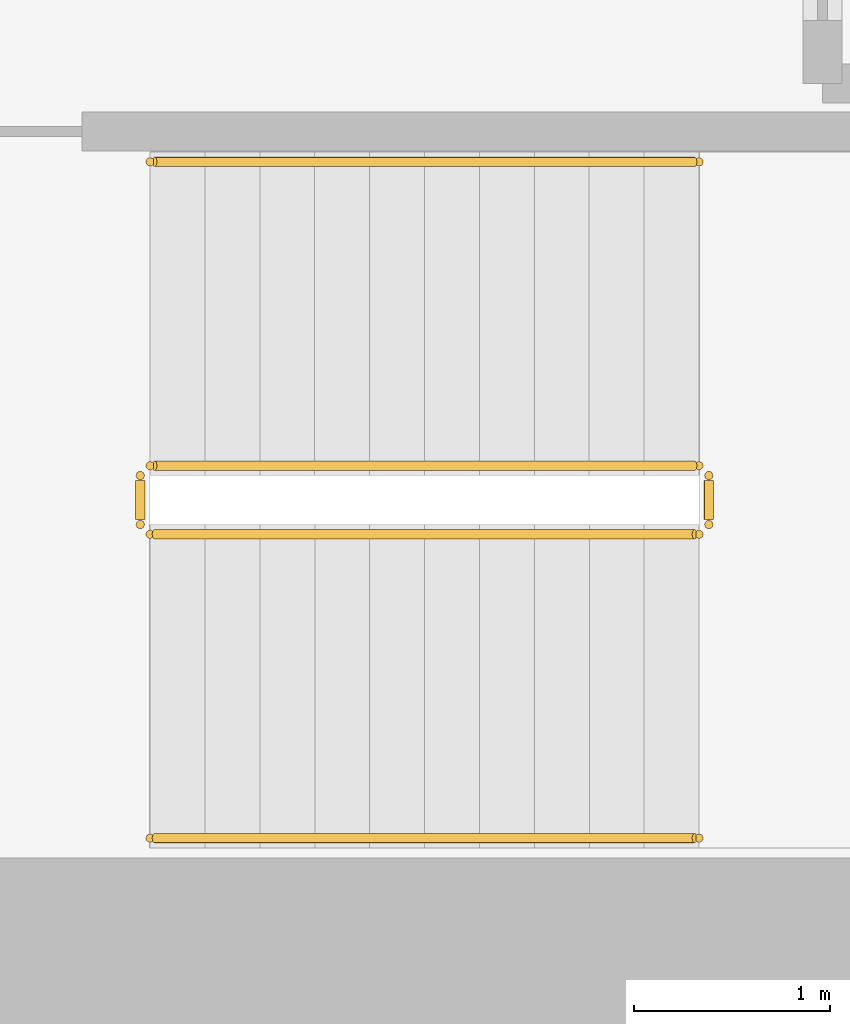
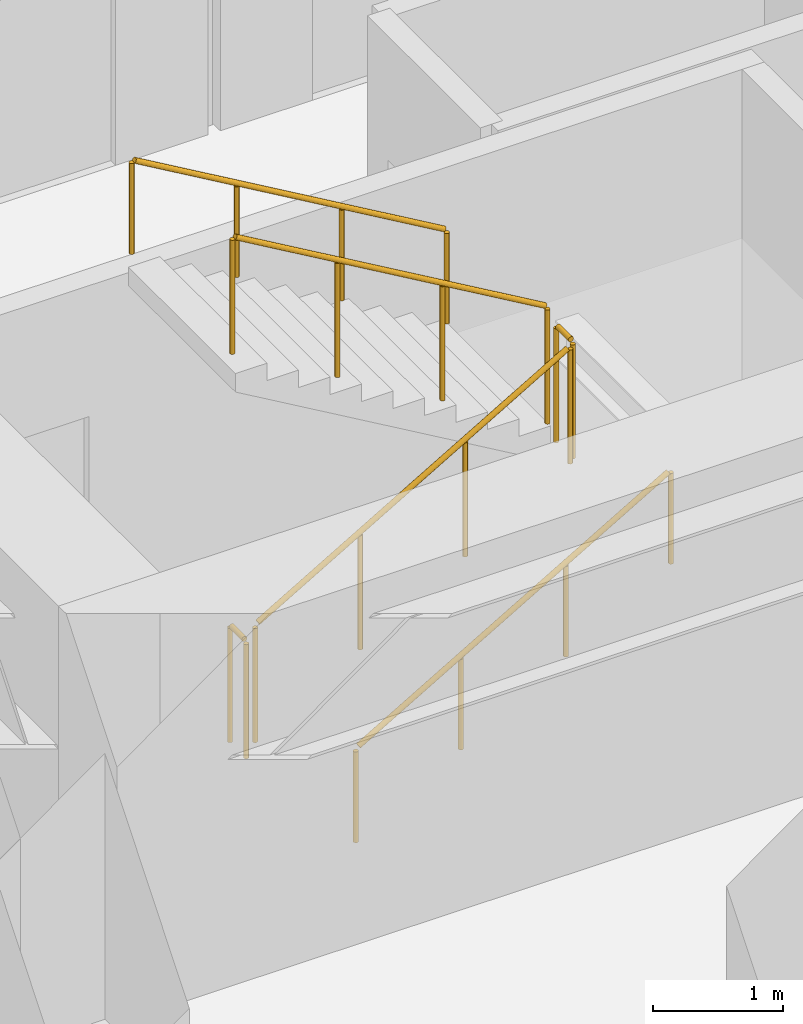
# One storey, part 12 of 12: 6 railings.
"""IFC4 building model written with IfcOpenShell, lengths in metres."""

from ifc_helpers import new_model, si_unit, direction, frame, origin, origin_2d, place, context, subcontext, project, spatial, circle, extrude, source, transform, mapped, material, layer, layer_set, type_object, element, save


model = new_model("IFC4")

# Units and contexts
model_context = context("Model", 3, precision=1e-05, world=origin(), true_north=direction((0.0, 1.0)))
body_context = subcontext(model_context, "Body", "Model", "MODEL_VIEW")
ifc_project = project(units=[si_unit("LENGTHUNIT", "METRE"), si_unit("AREAUNIT", "SQUARE_METRE"), si_unit("VOLUMEUNIT", "CUBIC_METRE"), si_unit("PLANEANGLEUNIT", "RADIAN"), si_unit("MASSUNIT", "GRAM", prefix="KILO")], contexts=[model_context])

# Site, building, storey
site_placement = place(None, origin())
site = spatial("IfcSite", under=ifc_project, at=site_placement, CompositionType="ELEMENT")
building_placement = place(site_placement, origin())
building = spatial("IfcBuilding", under=site, at=building_placement, Name="Kharzan Plaza Tower", CompositionType="ELEMENT")
storey_placement = place(building_placement, frame((0.0, 0.0, 51.300048828125)))
storey = spatial("IfcBuildingStorey", under=building, at=storey_placement, Name="L13", CompositionType="ELEMENT", Elevation=51.300048828125)

# Railings
ifc_material_1 = material(Name="Painted Galvanized Architectural Steel", Category="steel")
ifc_layer_1 = layer(ifc_material_1, 0.074951171875)
ifc_layer_set_1 = layer_set([ifc_layer_1], Name="Painted Galvanized Architectural Steel")
railing_type_1 = type_object("IfcRailingType", Name="RL-GUARD-1120", PredefinedType="BALUSTRADE", material=ifc_layer_set_1)
shared_shape_1 = source(origin(), body_context, "Body", "SweptSolid", [
    extrude(circle(Radius=0.02392578125, at=origin_2d()), frame((0.0, 0.0263671875, 1.09619140625), z_axis=(0.0, 1.0, 0.0), x_axis=(-1.0, 0.0, 0.0)), (0.0, 0.0, 1.0), 0.197021484375),
    extrude(circle(Radius=0.02099609375, at=origin_2d()), origin(), (0.0, 0.0, 1.0), 1.072021484375),
    extrude(circle(Radius=0.02099609375, at=origin_2d()), frame((0.0, 0.25, 0.0)), (0.0, 0.0, 1.0), 1.072021484375),
])
for number, where, name in (
    (1, (41.10009765625, 6.64990234375, 1.800048828125), "L13 ST-3 stair guard 2"),
    (2, (38.199951171875, 6.64990234375, 0.0), "L13 ST-3 stair guard 4"),
):
    element("IfcRailing", number, at=place(storey_placement, frame(where)), inside=storey, type_object=railing_type_1, Name=name, PredefinedType="BALUSTRADE", context=body_context, shape_type="MappedRepresentation", body=[
        mapped(shared_shape_1, transform((0.0, 0.0, 0.0), x_axis=(1.0, 0.0, 0.0), y_axis=(0.0, 1.0, 0.0), z_axis=(0.0, 0.0, 1.0))),
    ])
shared_shape_2 = source(origin(), body_context, "Body", "SweptSolid", [
    extrude(circle(Radius=0.02392578125, at=origin_2d()), frame((0.02294921875, 0.0, 1.109375), z_axis=(0.863360870873, 0.0, 0.504586966384), x_axis=(0.0, 1.0, 0.0)), (0.0, 0.0, 1.0), 3.190185546875),
    extrude(circle(Radius=0.02099609375, at=origin_2d()), origin(), (0.0, 0.0, 1.0), 1.072021484375),
    extrude(circle(Radius=0.02099609375, at=origin_2d()), frame((0.933349609375, 0.0, 0.54541015625)), (0.0, 0.0, 1.0), 1.072021484375),
    extrude(circle(Radius=0.02099609375, at=origin_2d()), frame((1.86669921875, 0.0, 1.091064453125)), (0.0, 0.0, 1.0), 1.072021484375),
    extrude(circle(Radius=0.02099609375, at=origin_2d()), frame((2.800048828125, 0.0, 1.636474609375)), (0.0, 0.0, 1.0), 1.072021484375),
])
railing_1_placement = place(storey_placement, frame((38.25, 6.60009765625, 0.16357421875)))
element("IfcRailing", 3, at=railing_1_placement, inside=storey, type_object=railing_type_1, Name="L13 ST-3 stair guard 1", PredefinedType="BALUSTRADE", context=body_context, shape_type="MappedRepresentation", body=[
    mapped(shared_shape_2, transform((0.0, 0.0, 0.0), x_axis=(1.0, 0.0, 0.0), y_axis=(0.0, 1.0, 0.0), z_axis=(0.0, 0.0, 1.0))),
])
ifc_material_2 = material(Name="Brushed Stainless Steel", Category="steel")
ifc_layer_2 = layer(ifc_material_2, 0.050048828125)
ifc_layer_set_2 = layer_set([ifc_layer_2], Name="Brushed Stainless Steel")
railing_type_2 = type_object("IfcRailingType", Name="RL-STAIR-HR920", PredefinedType="HANDRAIL", material=ifc_layer_set_2)
shared_shape_3 = source(origin(), body_context, "Body", "SweptSolid", [
    extrude(circle(Radius=0.02392578125, at=origin_2d()), frame((0.02294921875, 0.0, 0.88916015625), z_axis=(0.863360870873, 0.0, 0.504586966384), x_axis=(0.0, 1.0, 0.0)), (0.0, 0.0, 1.0), 3.190185546875),
    extrude(circle(Radius=0.02099609375, at=origin_2d()), origin(), (0.0, 0.0, 1.0), 0.851806640625),
    extrude(circle(Radius=0.02099609375, at=origin_2d()), frame((0.933349609375, 0.0, 0.54541015625)), (0.0, 0.0, 1.0), 0.851806640625),
    extrude(circle(Radius=0.02099609375, at=origin_2d()), frame((1.86669921875, 0.0, 1.091064453125)), (0.0, 0.0, 1.0), 0.851806640625),
    extrude(circle(Radius=0.02099609375, at=origin_2d()), frame((2.800048828125, 0.0, 1.636474609375)), (0.0, 0.0, 1.0), 0.851806640625),
])
railing_2_placement = place(storey_placement, frame((38.25, 5.050048828125, 0.16357421875)))
element("IfcRailing", 4, at=railing_2_placement, inside=storey, type_object=railing_type_2, Name="L13 ST-3 stair handrail 1", PredefinedType="HANDRAIL", context=body_context, shape_type="MappedRepresentation", body=[
    mapped(shared_shape_3, transform((0.0, 0.0, 0.0), x_axis=(1.0, 0.0, 0.0), y_axis=(0.0, 1.0, 0.0), z_axis=(0.0, 0.0, 1.0))),
])
shared_shape_4 = source(origin(), body_context, "Body", "SweptSolid", [
    extrude(circle(Radius=0.02392578125, at=origin_2d()), frame((-0.02294921875, 0.0, 1.109375), z_axis=(-0.863393664356, 0.0, 0.504530851732), x_axis=(0.0, -1.0, 0.0)), (0.0, 0.0, 1.0), 3.190185546875),
    extrude(circle(Radius=0.02099609375, at=origin_2d()), origin(), (0.0, 0.0, 1.0), 1.072021484375),
    extrude(circle(Radius=0.02099609375, at=origin_2d()), frame((-0.933349609375, 0.0, 0.54541015625)), (0.0, 0.0, 1.0), 1.072021484375),
    extrude(circle(Radius=0.02099609375, at=origin_2d()), frame((-1.86669921875, 0.0, 1.0908203125)), (0.0, 0.0, 1.0), 1.072021484375),
    extrude(circle(Radius=0.02099609375, at=origin_2d()), frame((-2.800048828125, 0.0, 1.63623046875)), (0.0, 0.0, 1.0), 1.072021484375),
])
railing_3_placement = place(storey_placement, frame((41.050048828125, 6.949951171875, 1.963623046875)))
element("IfcRailing", 5, at=railing_3_placement, inside=storey, type_object=railing_type_1, Name="L13 ST-3 stair guard 3", PredefinedType="BALUSTRADE", context=body_context, shape_type="MappedRepresentation", body=[
    mapped(shared_shape_4, transform((0.0, 0.0, 0.0), x_axis=(1.0, 0.0, 0.0), y_axis=(0.0, 1.0, 0.0), z_axis=(0.0, 0.0, 1.0))),
])
shared_shape_5 = source(origin(), body_context, "Body", "SweptSolid", [
    extrude(circle(Radius=0.02392578125, at=origin_2d()), frame((-0.02294921875, 0.0, 0.88916015625), z_axis=(-0.863393664356, 0.0, 0.504530851732), x_axis=(0.0, -1.0, 0.0)), (0.0, 0.0, 1.0), 3.190185546875),
    extrude(circle(Radius=0.02099609375, at=origin_2d()), origin(), (0.0, 0.0, 1.0), 0.851806640625),
    extrude(circle(Radius=0.02099609375, at=origin_2d()), frame((-0.933349609375, 0.0, 0.54541015625)), (0.0, 0.0, 1.0), 0.851806640625),
    extrude(circle(Radius=0.02099609375, at=origin_2d()), frame((-1.86669921875, 0.0, 1.0908203125)), (0.0, 0.0, 1.0), 0.851806640625),
    extrude(circle(Radius=0.02099609375, at=origin_2d()), frame((-2.800048828125, 0.0, 1.63623046875)), (0.0, 0.0, 1.0), 0.851806640625),
])
railing_4_placement = place(storey_placement, frame((41.050048828125, 8.5, 1.963623046875)))
element("IfcRailing", 6, at=railing_4_placement, inside=storey, type_object=railing_type_2, Name="L13 ST-3 stair handrail 2", PredefinedType="HANDRAIL", context=body_context, shape_type="MappedRepresentation", body=[
    mapped(shared_shape_5, transform((0.0, 0.0, 0.0), x_axis=(1.0, 0.0, 0.0), y_axis=(0.0, 1.0, 0.0), z_axis=(0.0, 0.0, 1.0))),
])

save(model, "model.ifc")
